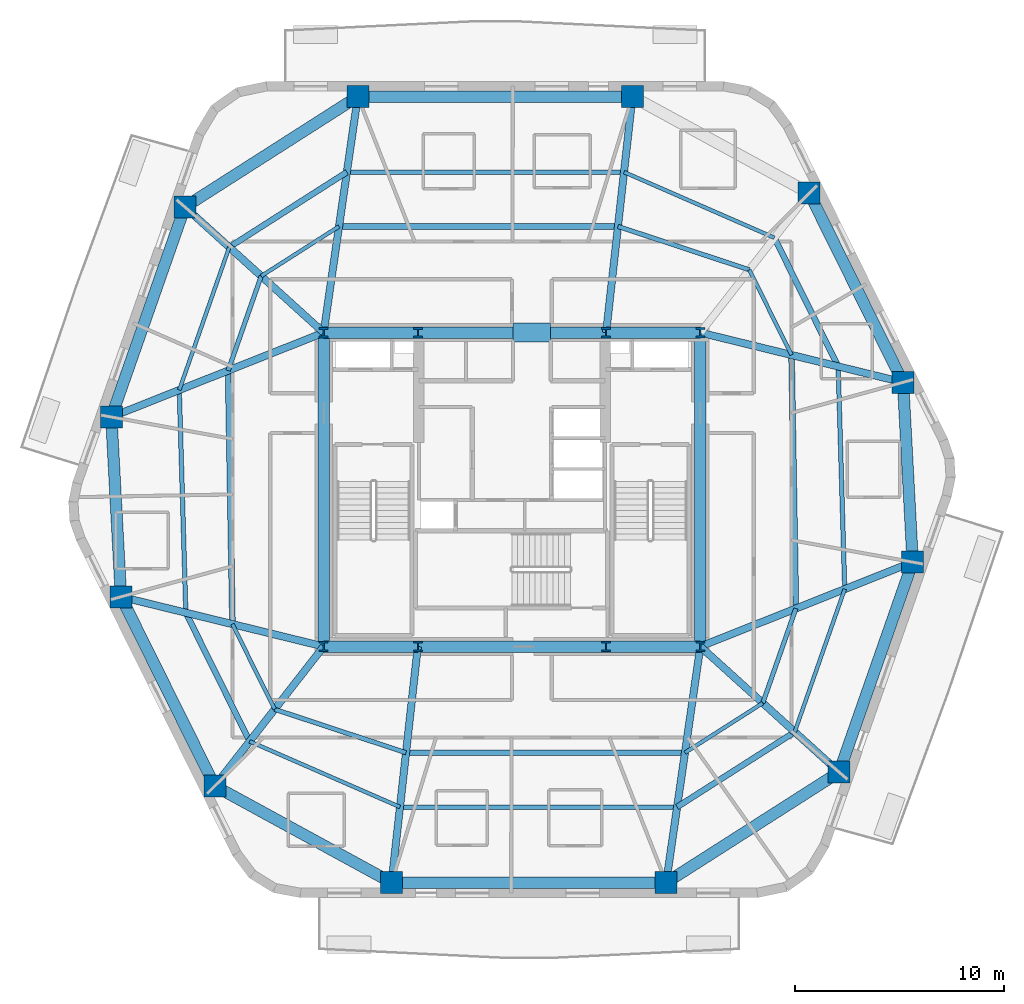
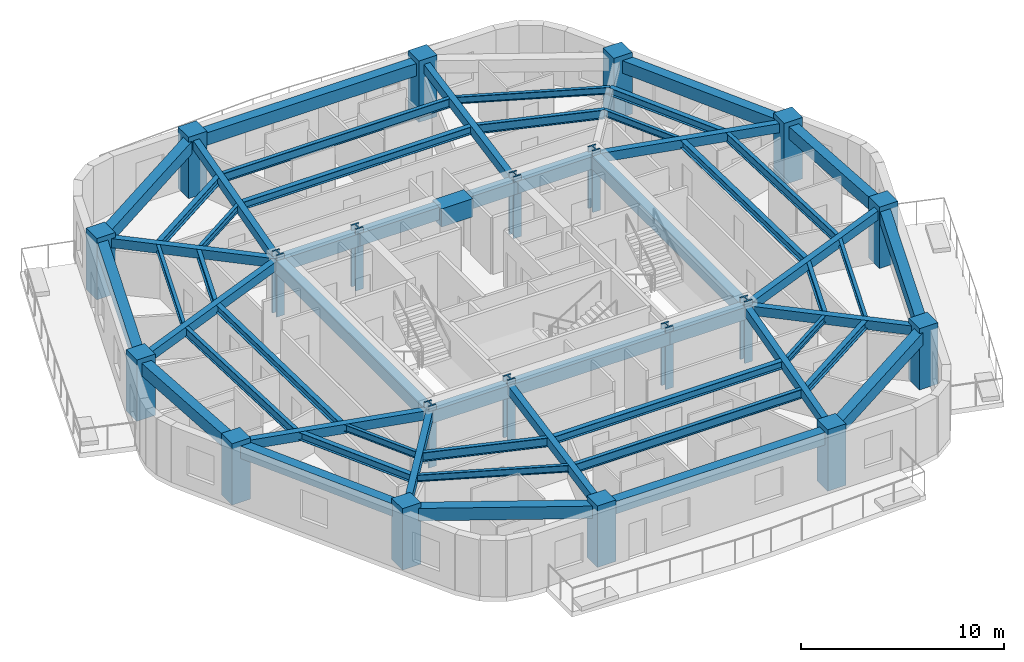
# One storey, part 1 of 11: 55 beams, 20 columns.
"""IFC4 building model written with IfcOpenShell, lengths in metres."""

from ifc_helpers import new_model, si_unit, direction, frame, origin, origin_2d, place, context, subcontext, project, spatial, rectangle, i_section, extrude, material, material_profile, profile_set, type_object, element, save


model = new_model("IFC4")

# Units and contexts
model_context = context("Model", 3, precision=1e-05, world=origin(), true_north=direction((0.0, 1.0)))
body_context = subcontext(model_context, "Body", "Model", "MODEL_VIEW")
ifc_project = project(units=[si_unit("LENGTHUNIT", "METRE"), si_unit("AREAUNIT", "SQUARE_METRE"), si_unit("VOLUMEUNIT", "CUBIC_METRE"), si_unit("PLANEANGLEUNIT", "RADIAN"), si_unit("MASSUNIT", "GRAM", prefix="KILO")], contexts=[model_context])

# Site, building, storey
site_placement = place(None, origin())
site = spatial("IfcSite", under=ifc_project, at=site_placement, CompositionType="ELEMENT")
building_placement = place(site_placement, origin())
building = spatial("IfcBuilding", under=site, at=building_placement, Name="Kilnhurst Terrace Hotel", CompositionType="ELEMENT")
storey_placement = place(building_placement, frame((0.0, 0.0, 159.10009765625)))
storey = spatial("IfcBuildingStorey", under=building, at=storey_placement, Name="L39", CompositionType="ELEMENT", Elevation=159.10009765625)

# Columns
ifc_material_1 = material(Name="Concrete C80/95", Category="concrete")
ifc_material_profile_1 = material_profile(ifc_material_1, rectangle(XDim=1.050048828125, YDim=1.050048828125, at=origin_2d()), Name="RC1050X1050")
ifc_profile_set_1 = profile_set([ifc_material_profile_1], Name="Concrete C80/95")
column_type_1 = type_object("IfcColumnType", Name="COL-RC-1050", PredefinedType="COLUMN", material=ifc_profile_set_1)
for number, where, z_axis, x_axis, name in (
    (1, (-5.7548828125, -18.780029296875, 0.0), (0.0, 0.0, 1.0), (1.0, 0.0, 0.0), "L39 Structural Column PC-F11"),
    (2, (7.368896484375, -18.780029296875, 0.0), (0.0, 0.0, 1.0), (1.0, 0.0, 0.0), "L39 Structural Column PC-F12"),
    (3, (15.633056640625, -13.5048828125, 0.0), (0.0, 0.0, 1.0), (1.0, 0.0, 0.0), "L39 Structural Column PC-F21"),
    (4, (19.14794921875, -3.467041015625, 0.0), (0.0, 0.0, 1.0), (1.0, 0.0, 0.0), "L39 Structural Column PC-F22"),
    (5, (18.68701171875, 5.1240234375, 0.0), (0.0, 0.0, 1.0), (1.0, 0.0, 0.0), "L39 Structural Column PC-F31"),
    (6, (14.2041015625, 14.166015625, 0.0), (0.0, 0.0, 1.0), (1.0, 0.0, 0.0), "L39 Structural Column PC-F32"),
    (7, (5.7548828125, 18.780029296875, 0.0), (0.0, 0.0, 1.0), (1.0, 0.0, 0.0), "L39 Structural Column PC-F41"),
    (8, (-7.368896484375, 18.780029296875, 0.0), (0.0, 0.0, 1.0), (1.0, 0.0, 0.0), "L39 Structural Column PC-F42"),
    (9, (-15.633056640625, 13.5048828125, 0.0), (0.0, 0.0, 1.0), (1.0, 0.0, 0.0), "L39 Structural Column PC-F51"),
    (10, (-19.14794921875, 3.467041015625, 0.0), (0.0, 0.0, 1.0), (1.0, 0.0, 0.0), "L39 Structural Column PC-F52"),
    (11, (-18.68701171875, -5.1240234375, 0.0), (0.0, 0.0, 1.0), (1.0, 0.0, 0.0), "L39 Structural Column PC-F61"),
    (12, (-14.2041015625, -14.166015625, 0.0), (0.0, 0.0, 1.0), (1.0, 0.0, 0.0), "L39 Structural Column PC-F62"),
):
    element("IfcColumn", number, at=place(storey_placement, frame(where, z_axis=z_axis, x_axis=x_axis)), inside=storey, type_object=column_type_1, Name=name, PredefinedType="COLUMN", context=body_context, shape_type="SweptSolid", body=[
        extrude(rectangle(XDim=1.050048828125, YDim=1.050048828125, at=origin_2d()), origin(), (0.0, 0.0, 1.0), 3.699951171875),
    ])
ifc_material_2 = material(Name="Steel ASTM A992 Grade 50", Category="steel")
ifc_material_profile_2 = material_profile(ifc_material_2, i_section(OverallWidth=0.43212890625, OverallDepth=0.497802734375, WebThickness=0.0556640625, FlangeThickness=0.0888671875, at=origin_2d()), Name="W14X500")
ifc_profile_set_2 = profile_set([ifc_material_profile_2], Name="Steel ASTM A992 Grade 50")
column_type_2 = type_object("IfcColumnType", Name="COL-STL-W14X500", PredefinedType="COLUMN", material=ifc_profile_set_2)
for number, where, z_axis, x_axis, name in (
    (13, (-9.0, -7.5, 0.0), (0.0, 0.0, 1.0), (1.0, 0.0, 0.0), "L39 Structural Column CC-SW"),
    (14, (-4.5, -7.5, 0.0), (0.0, 0.0, 1.0), (1.0, 0.0, 0.0), "L39 Structural Column CC-SC1"),
    (15, (4.5, -7.5, 0.0), (0.0, 0.0, 1.0), (1.0, 0.0, 0.0), "L39 Structural Column CC-SC2"),
    (16, (9.0, -7.5, 0.0), (0.0, 0.0, 1.0), (1.0, 0.0, 0.0), "L39 Structural Column CC-SE"),
    (17, (9.0, 7.5, 0.0), (0.0, 0.0, 1.0), (1.0, 0.0, 0.0), "L39 Structural Column CC-NE"),
    (18, (4.5, 7.5, 0.0), (0.0, 0.0, 1.0), (1.0, 0.0, 0.0), "L39 Structural Column CC-NC2"),
    (19, (-4.5, 7.5, 0.0), (0.0, 0.0, 1.0), (1.0, 0.0, 0.0), "L39 Structural Column CC-NC1"),
    (20, (-9.0, 7.5, 0.0), (0.0, 0.0, 1.0), (1.0, 0.0, 0.0), "L39 Structural Column CC-NW"),
):
    element("IfcColumn", number, at=place(storey_placement, frame(where, z_axis=z_axis, x_axis=x_axis)), inside=storey, type_object=column_type_2, Name=name, PredefinedType="COLUMN", context=body_context, shape_type="SweptSolid", body=[
        extrude(i_section(OverallWidth=0.43212890625, OverallDepth=0.497802734375, WebThickness=0.0556640625, FlangeThickness=0.0888671875, at=origin_2d()), origin(), (0.0, 0.0, 1.0), 3.699951171875),
    ])

# Beams
ifc_material_3 = material(Name="Concrete C50/60", Category="concrete")
ifc_material_profile_3 = material_profile(ifc_material_3, rectangle(XDim=0.35009765625, YDim=0.550048828125, at=origin_2d()), Name="RC350X550")
ifc_profile_set_3 = profile_set([ifc_material_profile_3], Name="Concrete C50/60")
beam_type_1 = type_object("IfcBeamType", Name="BM-RAD-350X550", PredefinedType="BEAM", material=ifc_profile_set_3)
beam_1_placement = place(storey_placement, frame((-4.5, -7.5, 3.125), z_axis=(-0.110566099441, -0.993868772854, 0.0), x_axis=(0.993868772854, -0.110566099441, 0.0)))
element("IfcBeam", 21, at=beam_1_placement, inside=storey, type_object=beam_type_1, Name="L39 Radial Floor Beam 1", PredefinedType="BEAM", context=body_context, shape_type="SweptSolid", body=[
    extrude(rectangle(XDim=0.35009765625, YDim=0.550048828125, at=origin_2d()), origin(), (0.0, 0.0, 1.0), 11.349609375),
])
beam_2_placement = place(storey_placement, frame((9.0, -7.5, 3.125), z_axis=(-0.143112538238, -0.989706421824, 0.0), x_axis=(0.989706421824, -0.143112538238, 0.0)))
element("IfcBeam", 22, at=beam_2_placement, inside=storey, type_object=beam_type_1, Name="L39 Radial Floor Beam 2", PredefinedType="BEAM", context=body_context, shape_type="SweptSolid", body=[
    extrude(rectangle(XDim=0.35009765625, YDim=0.550048828125, at=origin_2d()), origin(), (0.0, 0.0, 1.0), 11.3974609375),
])
beam_3_placement = place(storey_placement, frame((9.0, -7.5, 3.125), z_axis=(0.741338585645, -0.671131210296, 0.0), x_axis=(0.671131210296, 0.741338585645, 0.0)))
element("IfcBeam", 23, at=beam_3_placement, inside=storey, type_object=beam_type_1, Name="L39 Radial Floor Beam 3", PredefinedType="BEAM", context=body_context, shape_type="SweptSolid", body=[
    extrude(rectangle(XDim=0.35009765625, YDim=0.550048828125, at=origin_2d()), origin(), (0.0, 0.0, 1.0), 8.947509765625),
])
beam_4_placement = place(storey_placement, frame((9.0, -7.5, 3.125), z_axis=(0.929302373458, 0.369319778356, 0.0), x_axis=(-0.369319778356, 0.929302373458, 0.0)))
element("IfcBeam", 24, at=beam_4_placement, inside=storey, type_object=beam_type_1, Name="L39 Radial Floor Beam 4", PredefinedType="BEAM", context=body_context, shape_type="SweptSolid", body=[
    extrude(rectangle(XDim=0.35009765625, YDim=0.550048828125, at=origin_2d()), origin(), (0.0, 0.0, 1.0), 10.919921875),
])
beam_5_placement = place(storey_placement, frame((9.0, 7.5, 3.125), z_axis=(0.971212767405, -0.238213686486, 0.0), x_axis=(0.238213686486, 0.971212767405, 0.0)))
element("IfcBeam", 25, at=beam_5_placement, inside=storey, type_object=beam_type_1, Name="L39 Radial Floor Beam 5", PredefinedType="BEAM", context=body_context, shape_type="SweptSolid", body=[
    extrude(rectangle(XDim=0.35009765625, YDim=0.550048828125, at=origin_2d()), origin(), (0.0, 0.0, 1.0), 9.97412109375),
])
beam_6_placement = place(storey_placement, frame((4.5, 7.5, 3.125), z_axis=(0.110566099441, 0.993868772854, 0.0), x_axis=(-0.993868772854, 0.110566099441, 0.0)))
element("IfcBeam", 26, at=beam_6_placement, inside=storey, type_object=beam_type_1, Name="L39 Radial Floor Beam 7", PredefinedType="BEAM", context=body_context, shape_type="SweptSolid", body=[
    extrude(rectangle(XDim=0.35009765625, YDim=0.550048828125, at=origin_2d()), origin(), (0.0, 0.0, 1.0), 11.349609375),
])
beam_7_placement = place(storey_placement, frame((-9.0, 7.5, 3.125), z_axis=(0.143112538238, 0.989706421824, 0.0), x_axis=(-0.989706421824, 0.143112538238, 0.0)))
element("IfcBeam", 27, at=beam_7_placement, inside=storey, type_object=beam_type_1, Name="L39 Radial Floor Beam 8", PredefinedType="BEAM", context=body_context, shape_type="SweptSolid", body=[
    extrude(rectangle(XDim=0.35009765625, YDim=0.550048828125, at=origin_2d()), origin(), (0.0, 0.0, 1.0), 11.3974609375),
])
beam_8_placement = place(storey_placement, frame((-9.0, 7.5, 3.125), z_axis=(-0.741338585645, 0.671131210296, 0.0), x_axis=(-0.671131210296, -0.741338585645, 0.0)))
element("IfcBeam", 28, at=beam_8_placement, inside=storey, type_object=beam_type_1, Name="L39 Radial Floor Beam 9", PredefinedType="BEAM", context=body_context, shape_type="SweptSolid", body=[
    extrude(rectangle(XDim=0.35009765625, YDim=0.550048828125, at=origin_2d()), origin(), (0.0, 0.0, 1.0), 8.947509765625),
])
beam_9_placement = place(storey_placement, frame((-9.0, 7.5, 3.125), z_axis=(-0.929302373458, -0.369319778356, 0.0), x_axis=(0.369319778356, -0.929302373458, 0.0)))
element("IfcBeam", 29, at=beam_9_placement, inside=storey, type_object=beam_type_1, Name="L39 Radial Floor Beam 10", PredefinedType="BEAM", context=body_context, shape_type="SweptSolid", body=[
    extrude(rectangle(XDim=0.35009765625, YDim=0.550048828125, at=origin_2d()), origin(), (0.0, 0.0, 1.0), 10.919921875),
])
beam_10_placement = place(storey_placement, frame((-9.0, -7.5, 3.125), z_axis=(-0.971212767405, 0.238213686486, 0.0), x_axis=(-0.238213686486, -0.971212767405, 0.0)))
element("IfcBeam", 30, at=beam_10_placement, inside=storey, type_object=beam_type_1, Name="L39 Radial Floor Beam 11", PredefinedType="BEAM", context=body_context, shape_type="SweptSolid", body=[
    extrude(rectangle(XDim=0.35009765625, YDim=0.550048828125, at=origin_2d()), origin(), (0.0, 0.0, 1.0), 9.97412109375),
])
beam_11_placement = place(storey_placement, frame((-9.0, -7.5, 3.125), z_axis=(-0.615370616457, -0.78823791104, 0.0), x_axis=(0.78823791104, -0.615370616457, 0.0)))
element("IfcBeam", 31, at=beam_11_placement, inside=storey, type_object=beam_type_1, Name="L39 Radial Floor Beam 12", PredefinedType="BEAM", context=body_context, shape_type="SweptSolid", body=[
    extrude(rectangle(XDim=0.35009765625, YDim=0.550048828125, at=origin_2d()), origin(), (0.0, 0.0, 1.0), 8.456787109375),
])
ifc_material_profile_4 = material_profile(ifc_material_3, rectangle(XDim=0.550048828125, YDim=0.75, at=origin_2d()), Name="RC550X750")
ifc_profile_set_4 = profile_set([ifc_material_profile_4], Name="Concrete C50/60")
beam_type_2 = type_object("IfcBeamType", Name="BM-SPN-550X750", PredefinedType="SPANDREL", material=ifc_profile_set_4)
beam_12_placement = place(storey_placement, frame((-9.0, 7.5, 3.02490234375), z_axis=(1.0, 0.0, 0.0), x_axis=(0.0, 1.0, 0.0)))
element("IfcBeam", 32, at=beam_12_placement, inside=storey, type_object=beam_type_2, Name="L39 Core Tie Beam CC-NW to CC-NC1", PredefinedType="SPANDREL", context=body_context, shape_type="SweptSolid", body=[
    extrude(rectangle(XDim=0.550048828125, YDim=0.75, at=origin_2d()), origin(), (0.0, 0.0, 1.0), 4.5),
])
beam_13_placement = place(storey_placement, frame((-4.5, 7.5, 3.02490234375), z_axis=(1.0, 0.0, 0.0), x_axis=(0.0, 1.0, 0.0)))
element("IfcBeam", 33, at=beam_13_placement, inside=storey, type_object=beam_type_2, Name="L39 Core Tie Beam CC-NC1 to CC-NC2", PredefinedType="SPANDREL", context=body_context, shape_type="SweptSolid", body=[
    extrude(rectangle(XDim=0.550048828125, YDim=0.75, at=origin_2d()), origin(), (0.0, 0.0, 1.0), 9.0),
])
for number, where, z_axis, x_axis, name in (
    (34, (4.5, 7.5, 3.02490234375), (1.0, 0.0, 0.0), (0.0, 1.0, 0.0), "L39 Core Tie Beam CC-NC2 to CC-NE"),
    (35, (-9.0, -7.5, 3.02490234375), (1.0, 0.0, 0.0), (0.0, 1.0, 0.0), "L39 Core Tie Beam CC-SW to CC-SC1"),
):
    element("IfcBeam", number, at=place(storey_placement, frame(where, z_axis=z_axis, x_axis=x_axis)), inside=storey, type_object=beam_type_2, Name=name, PredefinedType="SPANDREL", context=body_context, shape_type="SweptSolid", body=[
        extrude(rectangle(XDim=0.550048828125, YDim=0.75, at=origin_2d()), origin(), (0.0, 0.0, 1.0), 4.5),
    ])
beam_14_placement = place(storey_placement, frame((-4.5, -7.5, 3.02490234375), z_axis=(1.0, 0.0, 0.0), x_axis=(0.0, 1.0, 0.0)))
element("IfcBeam", 36, at=beam_14_placement, inside=storey, type_object=beam_type_2, Name="L39 Core Tie Beam CC-SC1 to CC-SC2", PredefinedType="SPANDREL", context=body_context, shape_type="SweptSolid", body=[
    extrude(rectangle(XDim=0.550048828125, YDim=0.75, at=origin_2d()), origin(), (0.0, 0.0, 1.0), 9.0),
])
beam_15_placement = place(storey_placement, frame((4.5, -7.5, 3.02490234375), z_axis=(1.0, 0.0, 0.0), x_axis=(0.0, 1.0, 0.0)))
element("IfcBeam", 37, at=beam_15_placement, inside=storey, type_object=beam_type_2, Name="L39 Core Tie Beam CC-SC2 to CC-SE", PredefinedType="SPANDREL", context=body_context, shape_type="SweptSolid", body=[
    extrude(rectangle(XDim=0.550048828125, YDim=0.75, at=origin_2d()), origin(), (0.0, 0.0, 1.0), 4.5),
])
for number, where, z_axis, x_axis, name in (
    (38, (-9.0, -7.5, 3.02490234375), (0.0, 1.0, 0.0), (-1.0, 0.0, 0.0), "L39 Core Tie Beam CC-SW to CC-NW"),
    (39, (9.0, -7.5, 3.02490234375), (0.0, 1.0, 0.0), (-1.0, 0.0, 0.0), "L39 Core Tie Beam CC-SE to CC-NE"),
):
    element("IfcBeam", number, at=place(storey_placement, frame(where, z_axis=z_axis, x_axis=x_axis)), inside=storey, type_object=beam_type_2, Name=name, PredefinedType="SPANDREL", context=body_context, shape_type="SweptSolid", body=[
        extrude(rectangle(XDim=0.550048828125, YDim=0.75, at=origin_2d()), origin(), (0.0, 0.0, 1.0), 15.0),
    ])
beam_16_placement = place(storey_placement, frame((-5.7548828125, -18.780029296875, 3.02490234375), z_axis=(1.0, 0.0, 0.0), x_axis=(0.0, 1.0, 0.0)))
element("IfcBeam", 40, at=beam_16_placement, inside=storey, type_object=beam_type_2, Name="L39 Perimeter Spandrel Beam 1", PredefinedType="SPANDREL", context=body_context, shape_type="SweptSolid", body=[
    extrude(rectangle(XDim=0.550048828125, YDim=0.75, at=origin_2d()), origin(), (0.0, 0.0, 1.0), 13.123779296875),
])
beam_17_placement = place(storey_placement, frame((7.368896484375, -18.780029296875, 3.02490234375), z_axis=(0.842915241256, 0.538046369803, 0.0), x_axis=(-0.538046369803, 0.842915241256, 0.0)))
element("IfcBeam", 41, at=beam_17_placement, inside=storey, type_object=beam_type_2, Name="L39 Perimeter Spandrel Beam 2", PredefinedType="SPANDREL", context=body_context, shape_type="SweptSolid", body=[
    extrude(rectangle(XDim=0.550048828125, YDim=0.75, at=origin_2d()), origin(), (0.0, 0.0, 1.0), 9.80419921875),
])
beam_18_placement = place(storey_placement, frame((15.633056640625, -13.5048828125, 3.02490234375), z_axis=(0.330488460168, 0.943810032632, 0.0), x_axis=(-0.943810032632, 0.330488460168, 0.0)))
element("IfcBeam", 42, at=beam_18_placement, inside=storey, type_object=beam_type_2, Name="L39 Perimeter Spandrel Beam 3", PredefinedType="SPANDREL", context=body_context, shape_type="SweptSolid", body=[
    extrude(rectangle(XDim=0.550048828125, YDim=0.75, at=origin_2d()), origin(), (0.0, 0.0, 1.0), 10.635498046875),
])
beam_19_placement = place(storey_placement, frame((19.14794921875, -3.467041015625, 3.02490234375), z_axis=(-0.053576072051, 0.998563770875, 0.0), x_axis=(-0.998563770875, -0.053576072051, 0.0)))
element("IfcBeam", 43, at=beam_19_placement, inside=storey, type_object=beam_type_2, Name="L39 Perimeter Spandrel Beam 4", PredefinedType="SPANDREL", context=body_context, shape_type="SweptSolid", body=[
    extrude(rectangle(XDim=0.550048828125, YDim=0.75, at=origin_2d()), origin(), (0.0, 0.0, 1.0), 8.603515625),
])
beam_20_placement = place(storey_placement, frame((18.68701171875, 5.1240234375, 3.02490234375), z_axis=(-0.444192032261, 0.895931603682, 0.0), x_axis=(-0.895931603682, -0.444192032261, 0.0)))
element("IfcBeam", 44, at=beam_20_placement, inside=storey, type_object=beam_type_2, Name="L39 Perimeter Spandrel Beam 5", PredefinedType="SPANDREL", context=body_context, shape_type="SweptSolid", body=[
    extrude(rectangle(XDim=0.550048828125, YDim=0.75, at=origin_2d()), origin(), (0.0, 0.0, 1.0), 10.09228515625),
])
beam_21_placement = place(storey_placement, frame((5.7548828125, 18.780029296875, 3.02490234375), z_axis=(-1.0, 0.0, 0.0), x_axis=(0.0, -1.0, 0.0)))
element("IfcBeam", 45, at=beam_21_placement, inside=storey, type_object=beam_type_2, Name="L39 Perimeter Spandrel Beam 7", PredefinedType="SPANDREL", context=body_context, shape_type="SweptSolid", body=[
    extrude(rectangle(XDim=0.550048828125, YDim=0.75, at=origin_2d()), origin(), (0.0, 0.0, 1.0), 13.123779296875),
])
beam_22_placement = place(storey_placement, frame((-7.368896484375, 18.780029296875, 3.02490234375), z_axis=(-0.842915241256, -0.538046369803, 0.0), x_axis=(0.538046369803, -0.842915241256, 0.0)))
element("IfcBeam", 46, at=beam_22_placement, inside=storey, type_object=beam_type_2, Name="L39 Perimeter Spandrel Beam 8", PredefinedType="SPANDREL", context=body_context, shape_type="SweptSolid", body=[
    extrude(rectangle(XDim=0.550048828125, YDim=0.75, at=origin_2d()), origin(), (0.0, 0.0, 1.0), 9.80419921875),
])
beam_23_placement = place(storey_placement, frame((-15.633056640625, 13.5048828125, 3.02490234375), z_axis=(-0.330488460168, -0.943810032632, 0.0), x_axis=(0.943810032632, -0.330488460168, 0.0)))
element("IfcBeam", 47, at=beam_23_placement, inside=storey, type_object=beam_type_2, Name="L39 Perimeter Spandrel Beam 9", PredefinedType="SPANDREL", context=body_context, shape_type="SweptSolid", body=[
    extrude(rectangle(XDim=0.550048828125, YDim=0.75, at=origin_2d()), origin(), (0.0, 0.0, 1.0), 10.635498046875),
])
beam_24_placement = place(storey_placement, frame((-19.14794921875, 3.467041015625, 3.02490234375), z_axis=(0.053576072051, -0.998563770875, 0.0), x_axis=(0.998563770875, 0.053576072051, 0.0)))
element("IfcBeam", 48, at=beam_24_placement, inside=storey, type_object=beam_type_2, Name="L39 Perimeter Spandrel Beam 10", PredefinedType="SPANDREL", context=body_context, shape_type="SweptSolid", body=[
    extrude(rectangle(XDim=0.550048828125, YDim=0.75, at=origin_2d()), origin(), (0.0, 0.0, 1.0), 8.603515625),
])
beam_25_placement = place(storey_placement, frame((-18.68701171875, -5.1240234375, 3.02490234375), z_axis=(0.444192032261, -0.895931603682, 0.0), x_axis=(0.895931603682, 0.444192032261, 0.0)))
element("IfcBeam", 49, at=beam_25_placement, inside=storey, type_object=beam_type_2, Name="L39 Perimeter Spandrel Beam 11", PredefinedType="SPANDREL", context=body_context, shape_type="SweptSolid", body=[
    extrude(rectangle(XDim=0.550048828125, YDim=0.75, at=origin_2d()), origin(), (0.0, 0.0, 1.0), 10.09228515625),
])
beam_26_placement = place(storey_placement, frame((-14.2041015625, -14.166015625, 3.02490234375), z_axis=(0.87766189723, -0.479280287672, 0.0), x_axis=(0.479280287672, 0.87766189723, 0.0)))
element("IfcBeam", 50, at=beam_26_placement, inside=storey, type_object=beam_type_2, Name="L39 Perimeter Spandrel Beam 12", PredefinedType="SPANDREL", context=body_context, shape_type="SweptSolid", body=[
    extrude(rectangle(XDim=0.550048828125, YDim=0.75, at=origin_2d()), origin(), (0.0, 0.0, 1.0), 9.626953125),
])
ifc_material_profile_5 = material_profile(ifc_material_2, i_section(OverallWidth=0.180908203125, OverallDepth=0.417236328125, WebThickness=0.010986328125, FlangeThickness=0.018310546875, at=origin_2d()), Name="W16X57")
ifc_profile_set_5 = profile_set([ifc_material_profile_5], Name="Steel ASTM A992 Grade 50")
beam_type_3 = type_object("IfcBeamType", Name="JST-STL-W16X57", PredefinedType="JOIST", material=ifc_profile_set_5)
beam_27_placement = place(storey_placement, frame((13.510498046875, -11.58349609375, 3.19091796875), z_axis=(0.330481239411, 0.943812561051, 0.0), x_axis=(-0.943812561051, 0.330481239411, 0.0)))
element("IfcBeam", 51, at=beam_27_placement, inside=storey, type_object=beam_type_3, Name="L39 Secondary Floor Steel Joist OUT.3", PredefinedType="JOIST", context=body_context, shape_type="SweptSolid", body=[
    extrude(i_section(OverallWidth=0.180908203125, OverallDepth=0.417236328125, WebThickness=0.010986328125, FlangeThickness=0.018310546875, at=origin_2d()), origin(), (0.0, 0.0, 1.0), 7.232177734375),
])
beam_28_placement = place(storey_placement, frame((12.538818359375, 12.032958984375, 3.19091796875), z_axis=(-0.916443679054, 0.400163695407, 0.0), x_axis=(-0.400163695407, -0.916443679054, 0.0)))
element("IfcBeam", 52, at=beam_28_placement, inside=storey, type_object=beam_type_3, Name="L39 Secondary Floor Steel Joist OUT.6", PredefinedType="JOIST", context=body_context, shape_type="SweptSolid", body=[
    extrude(i_section(OverallWidth=0.180908203125, OverallDepth=0.417236328125, WebThickness=0.010986328125, FlangeThickness=0.018310546875, at=origin_2d()), origin(), (0.0, 0.0, 1.0), 7.84033203125),
])
beam_29_placement = place(storey_placement, frame((-13.510498046875, 11.58349609375, 3.19091796875), z_axis=(-0.330481239411, -0.943812561051, 0.0), x_axis=(0.943812561051, -0.330481239411, 0.0)))
element("IfcBeam", 53, at=beam_29_placement, inside=storey, type_object=beam_type_3, Name="L39 Secondary Floor Steel Joist OUT.9", PredefinedType="JOIST", context=body_context, shape_type="SweptSolid", body=[
    extrude(i_section(OverallWidth=0.180908203125, OverallDepth=0.417236328125, WebThickness=0.010986328125, FlangeThickness=0.018310546875, at=origin_2d()), origin(), (0.0, 0.0, 1.0), 7.232177734375),
])
beam_30_placement = place(storey_placement, frame((-12.538818359375, -12.032958984375, 3.19091796875), z_axis=(0.916443679054, -0.400163695407, 0.0), x_axis=(0.400163695407, 0.916443679054, 0.0)))
element("IfcBeam", 54, at=beam_30_placement, inside=storey, type_object=beam_type_3, Name="L39 Secondary Floor Steel Joist OUT.12", PredefinedType="JOIST", context=body_context, shape_type="SweptSolid", body=[
    extrude(i_section(OverallWidth=0.180908203125, OverallDepth=0.417236328125, WebThickness=0.010986328125, FlangeThickness=0.018310546875, at=origin_2d()), origin(), (0.0, 0.0, 1.0), 7.84033203125),
])
beam_31_placement = place(storey_placement, frame((8.26611328125, -12.575927734375, 3.19091796875), z_axis=(0.842910995806, 0.53805302076, 0.0), x_axis=(-0.53805302076, 0.842910995806, 0.0)))
element("IfcBeam", 55, at=beam_31_placement, inside=storey, type_object=beam_type_3, Name="L39 Secondary Floor Steel Joist IN.2", PredefinedType="JOIST", context=body_context, shape_type="SweptSolid", body=[
    extrude(i_section(OverallWidth=0.180908203125, OverallDepth=0.417236328125, WebThickness=0.010986328125, FlangeThickness=0.018310546875, at=origin_2d()), origin(), (0.0, 0.0, 1.0), 4.411865234375),
])
beam_32_placement = place(storey_placement, frame((13.359130859375, 6.430908203125, 3.19091796875), z_axis=(-0.444200626094, 0.895927342912, 0.0), x_axis=(-0.895927342912, -0.444200626094, 0.0)))
element("IfcBeam", 56, at=beam_32_placement, inside=storey, type_object=beam_type_3, Name="L39 Secondary Floor Steel Joist IN.5", PredefinedType="JOIST", context=body_context, shape_type="SweptSolid", body=[
    extrude(i_section(OverallWidth=0.180908203125, OverallDepth=0.417236328125, WebThickness=0.010986328125, FlangeThickness=0.018310546875, at=origin_2d()), origin(), (0.0, 0.0, 1.0), 4.54150390625),
])
beam_33_placement = place(storey_placement, frame((-8.26611328125, 12.575927734375, 3.19091796875), z_axis=(-0.842910995806, -0.53805302076, 0.0), x_axis=(0.53805302076, -0.842910995806, 0.0)))
element("IfcBeam", 57, at=beam_33_placement, inside=storey, type_object=beam_type_3, Name="L39 Secondary Floor Steel Joist IN.8", PredefinedType="JOIST", context=body_context, shape_type="SweptSolid", body=[
    extrude(i_section(OverallWidth=0.180908203125, OverallDepth=0.417236328125, WebThickness=0.010986328125, FlangeThickness=0.018310546875, at=origin_2d()), origin(), (0.0, 0.0, 1.0), 4.411865234375),
])
beam_34_placement = place(storey_placement, frame((-13.359130859375, -6.430908203125, 3.19091796875), z_axis=(0.444200626094, -0.895927342912, 0.0), x_axis=(0.895927342912, 0.444200626094, 0.0)))
element("IfcBeam", 58, at=beam_34_placement, inside=storey, type_object=beam_type_3, Name="L39 Secondary Floor Steel Joist IN.11", PredefinedType="JOIST", context=body_context, shape_type="SweptSolid", body=[
    extrude(i_section(OverallWidth=0.180908203125, OverallDepth=0.417236328125, WebThickness=0.010986328125, FlangeThickness=0.018310546875, at=origin_2d()), origin(), (0.0, 0.0, 1.0), 4.54150390625),
])
ifc_material_profile_6 = material_profile(ifc_material_2, i_section(OverallWidth=0.279296875, OverallDepth=0.462890625, WebThickness=0.0107421875, FlangeThickness=0.017333984375, at=origin_2d()), Name="W18X76")
ifc_profile_set_6 = profile_set([ifc_material_profile_6], Name="Steel ASTM A992 Grade 50")
beam_type_4 = type_object("IfcBeamType", Name="JST-STL-W18X76", PredefinedType="JOIST", material=ifc_profile_set_6)
beam_35_placement = place(storey_placement, frame((7.890869140625, -15.17041015625, 3.16796875), z_axis=(0.842927863369, 0.538026595213, 0.0), x_axis=(-0.538026595213, 0.842927863369, 0.0)))
element("IfcBeam", 59, at=beam_35_placement, inside=storey, type_object=beam_type_4, Name="L39 Secondary Floor Steel Joist OUT.2", PredefinedType="JOIST", context=body_context, shape_type="SweptSolid", body=[
    extrude(i_section(OverallWidth=0.279296875, OverallDepth=0.462890625, WebThickness=0.0107421875, FlangeThickness=0.017333984375, at=origin_2d()), origin(), (0.0, 0.0, 1.0), 6.666748046875),
])
beam_36_placement = place(storey_placement, frame((15.587158203125, 5.88427734375, 3.16796875), z_axis=(-0.444180101574, 0.895937518673, 0.0), x_axis=(-0.895937518673, -0.444180101574, 0.0)))
element("IfcBeam", 60, at=beam_36_placement, inside=storey, type_object=beam_type_4, Name="L39 Secondary Floor Steel Joist OUT.5", PredefinedType="JOIST", context=body_context, shape_type="SweptSolid", body=[
    extrude(i_section(OverallWidth=0.279296875, OverallDepth=0.462890625, WebThickness=0.0107421875, FlangeThickness=0.017333984375, at=origin_2d()), origin(), (0.0, 0.0, 1.0), 6.86279296875),
])
beam_37_placement = place(storey_placement, frame((-7.890869140625, 15.17041015625, 3.16796875), z_axis=(-0.842927863369, -0.538026595213, 0.0), x_axis=(0.538026595213, -0.842927863369, 0.0)))
element("IfcBeam", 61, at=beam_37_placement, inside=storey, type_object=beam_type_4, Name="L39 Secondary Floor Steel Joist OUT.8", PredefinedType="JOIST", context=body_context, shape_type="SweptSolid", body=[
    extrude(i_section(OverallWidth=0.279296875, OverallDepth=0.462890625, WebThickness=0.0107421875, FlangeThickness=0.017333984375, at=origin_2d()), origin(), (0.0, 0.0, 1.0), 6.666748046875),
])
beam_38_placement = place(storey_placement, frame((-15.587158203125, -5.88427734375, 3.16796875), z_axis=(0.444180101574, -0.895937518673, 0.0), x_axis=(0.895937518673, 0.444180101574, 0.0)))
element("IfcBeam", 62, at=beam_38_placement, inside=storey, type_object=beam_type_4, Name="L39 Secondary Floor Steel Joist OUT.11", PredefinedType="JOIST", context=body_context, shape_type="SweptSolid", body=[
    extrude(i_section(OverallWidth=0.279296875, OverallDepth=0.462890625, WebThickness=0.0107421875, FlangeThickness=0.017333984375, at=origin_2d()), origin(), (0.0, 0.0, 1.0), 6.86279296875),
])
beam_39_placement = place(storey_placement, frame((-5.064697265625, -12.575927734375, 3.16796875), z_axis=(1.0, 0.0, 0.0), x_axis=(0.0, 1.0, 0.0)))
element("IfcBeam", 63, at=beam_39_placement, inside=storey, type_object=beam_type_4, Name="L39 Secondary Floor Steel Joist IN.1", PredefinedType="JOIST", context=body_context, shape_type="SweptSolid", body=[
    extrude(i_section(OverallWidth=0.279296875, OverallDepth=0.462890625, WebThickness=0.0107421875, FlangeThickness=0.017333984375, at=origin_2d()), origin(), (0.0, 0.0, 1.0), 13.330810546875),
])
beam_40_placement = place(storey_placement, frame((13.566650390625, -5.685302734375, 3.16796875), z_axis=(-0.017124916462, 0.999853357866, 0.0), x_axis=(-0.999853357866, -0.017124916462, 0.0)))
element("IfcBeam", 64, at=beam_40_placement, inside=storey, type_object=beam_type_4, Name="L39 Secondary Floor Steel Joist IN.4", PredefinedType="JOIST", context=body_context, shape_type="SweptSolid", body=[
    extrude(i_section(OverallWidth=0.279296875, OverallDepth=0.462890625, WebThickness=0.0107421875, FlangeThickness=0.017333984375, at=origin_2d()), origin(), (0.0, 0.0, 1.0), 12.117919921875),
])
beam_41_placement = place(storey_placement, frame((5.064697265625, 12.575927734375, 3.16796875), z_axis=(-1.0, 0.0, 0.0), x_axis=(0.0, -1.0, 0.0)))
element("IfcBeam", 65, at=beam_41_placement, inside=storey, type_object=beam_type_4, Name="L39 Secondary Floor Steel Joist IN.7", PredefinedType="JOIST", context=body_context, shape_type="SweptSolid", body=[
    extrude(i_section(OverallWidth=0.279296875, OverallDepth=0.462890625, WebThickness=0.0107421875, FlangeThickness=0.017333984375, at=origin_2d()), origin(), (0.0, 0.0, 1.0), 13.330810546875),
])
beam_42_placement = place(storey_placement, frame((-13.566650390625, 5.685302734375, 3.16796875), z_axis=(0.017124916462, -0.999853357866, 0.0), x_axis=(0.999853357866, 0.017124916462, 0.0)))
element("IfcBeam", 66, at=beam_42_placement, inside=storey, type_object=beam_type_4, Name="L39 Secondary Floor Steel Joist IN.10", PredefinedType="JOIST", context=body_context, shape_type="SweptSolid", body=[
    extrude(i_section(OverallWidth=0.279296875, OverallDepth=0.462890625, WebThickness=0.0107421875, FlangeThickness=0.017333984375, at=origin_2d()), origin(), (0.0, 0.0, 1.0), 12.117919921875),
])
ifc_material_profile_7 = material_profile(ifc_material_2, i_section(OverallWidth=0.2138671875, OverallDepth=0.549072265625, WebThickness=0.0146484375, FlangeThickness=0.023681640625, at=origin_2d()), Name="W21X93")
ifc_profile_set_7 = profile_set([ifc_material_profile_7], Name="Steel ASTM A992 Grade 50")
beam_type_5 = type_object("IfcBeamType", Name="JST-STL-W21X93", PredefinedType="JOIST", material=ifc_profile_set_7)
beam_43_placement = place(storey_placement, frame((-5.353515625, -15.17041015625, 3.125), z_axis=(1.0, 0.0, 0.0), x_axis=(0.0, 1.0, 0.0)))
element("IfcBeam", 67, at=beam_43_placement, inside=storey, type_object=beam_type_5, Name="L39 Secondary Floor Steel Joist OUT.1", PredefinedType="JOIST", context=body_context, shape_type="SweptSolid", body=[
    extrude(i_section(OverallWidth=0.2138671875, OverallDepth=0.549072265625, WebThickness=0.0146484375, FlangeThickness=0.023681640625, at=origin_2d()), origin(), (0.0, 0.0, 1.0), 13.244384765625),
])
beam_44_placement = place(storey_placement, frame((15.900634765625, -4.757568359375, 3.125), z_axis=(-0.029444201298, 0.999566425512, 0.0), x_axis=(-0.999566425512, -0.029444201298, 0.0)))
element("IfcBeam", 68, at=beam_44_placement, inside=storey, type_object=beam_type_5, Name="L39 Secondary Floor Steel Joist OUT.4", PredefinedType="JOIST", context=body_context, shape_type="SweptSolid", body=[
    extrude(i_section(OverallWidth=0.2138671875, OverallDepth=0.549072265625, WebThickness=0.0146484375, FlangeThickness=0.023681640625, at=origin_2d()), origin(), (0.0, 0.0, 1.0), 10.646484375),
])
beam_45_placement = place(storey_placement, frame((5.353515625, 15.17041015625, 3.125), z_axis=(-1.0, 0.0, 0.0), x_axis=(0.0, -1.0, 0.0)))
element("IfcBeam", 69, at=beam_45_placement, inside=storey, type_object=beam_type_5, Name="L39 Secondary Floor Steel Joist OUT.7", PredefinedType="JOIST", context=body_context, shape_type="SweptSolid", body=[
    extrude(i_section(OverallWidth=0.2138671875, OverallDepth=0.549072265625, WebThickness=0.0146484375, FlangeThickness=0.023681640625, at=origin_2d()), origin(), (0.0, 0.0, 1.0), 13.244384765625),
])
beam_46_placement = place(storey_placement, frame((-15.900634765625, 4.757568359375, 3.125), z_axis=(0.029444201298, -0.999566425512, 0.0), x_axis=(0.999566425512, 0.029444201298, 0.0)))
element("IfcBeam", 70, at=beam_46_placement, inside=storey, type_object=beam_type_5, Name="L39 Secondary Floor Steel Joist OUT.10", PredefinedType="JOIST", context=body_context, shape_type="SweptSolid", body=[
    extrude(i_section(OverallWidth=0.2138671875, OverallDepth=0.549072265625, WebThickness=0.0146484375, FlangeThickness=0.023681640625, at=origin_2d()), origin(), (0.0, 0.0, 1.0), 10.646484375),
])
beam_47_placement = place(storey_placement, frame((11.98486328125, -10.2021484375, 3.125), z_axis=(0.330516298629, 0.943800284139, 0.0), x_axis=(-0.943800284139, 0.330516298629, 0.0)))
element("IfcBeam", 71, at=beam_47_placement, inside=storey, type_object=beam_type_5, Name="L39 Secondary Floor Steel Joist IN.3", PredefinedType="JOIST", context=body_context, shape_type="SweptSolid", body=[
    extrude(i_section(OverallWidth=0.2138671875, OverallDepth=0.549072265625, WebThickness=0.0146484375, FlangeThickness=0.023681640625, at=origin_2d()), origin(), (0.0, 0.0, 1.0), 4.785888671875),
])
beam_48_placement = place(storey_placement, frame((11.341796875, 10.499755859375, 3.125), z_axis=(-0.949415572736, 0.314022404051, 0.0), x_axis=(-0.314022404051, -0.949415572736, 0.0)))
element("IfcBeam", 72, at=beam_48_placement, inside=storey, type_object=beam_type_5, Name="L39 Secondary Floor Steel Joist IN.6", PredefinedType="JOIST", context=body_context, shape_type="SweptSolid", body=[
    extrude(i_section(OverallWidth=0.2138671875, OverallDepth=0.549072265625, WebThickness=0.0146484375, FlangeThickness=0.023681640625, at=origin_2d()), origin(), (0.0, 0.0, 1.0), 6.611572265625),
])
beam_49_placement = place(storey_placement, frame((-11.98486328125, 10.2021484375, 3.125), z_axis=(-0.330516298629, -0.943800284139, 0.0), x_axis=(0.943800284139, -0.330516298629, 0.0)))
element("IfcBeam", 73, at=beam_49_placement, inside=storey, type_object=beam_type_5, Name="L39 Secondary Floor Steel Joist IN.9", PredefinedType="JOIST", context=body_context, shape_type="SweptSolid", body=[
    extrude(i_section(OverallWidth=0.2138671875, OverallDepth=0.549072265625, WebThickness=0.0146484375, FlangeThickness=0.023681640625, at=origin_2d()), origin(), (0.0, 0.0, 1.0), 4.785888671875),
])
beam_50_placement = place(storey_placement, frame((-11.341796875, -10.499755859375, 3.125), z_axis=(0.949415572736, -0.314022404051, 0.0), x_axis=(0.314022404051, 0.949415572736, 0.0)))
element("IfcBeam", 74, at=beam_50_placement, inside=storey, type_object=beam_type_5, Name="L39 Secondary Floor Steel Joist IN.12", PredefinedType="JOIST", context=body_context, shape_type="SweptSolid", body=[
    extrude(i_section(OverallWidth=0.2138671875, OverallDepth=0.549072265625, WebThickness=0.0146484375, FlangeThickness=0.023681640625, at=origin_2d()), origin(), (0.0, 0.0, 1.0), 6.611572265625),
])
ifc_material_profile_8 = material_profile(ifc_material_1, rectangle(XDim=0.89990234375, YDim=1.10009765625, at=origin_2d()), Name="RC900X1100")
ifc_profile_set_8 = profile_set([ifc_material_profile_8], Name="Concrete C80/95")
beam_type_6 = type_object("IfcBeamType", Name="LNT-CB-900X1100", PredefinedType="LINTEL", material=ifc_profile_set_8)
beam_51_placement = place(storey_placement, frame((0.050048828125, 7.5, 2.849853515625), z_axis=(1.0, 0.0, 0.0), x_axis=(0.0, 1.0, 0.0)))
element("IfcBeam", 75, at=beam_51_placement, inside=storey, type_object=beam_type_6, Name="L39 North Core Coupling Link Beam", PredefinedType="LINTEL", context=body_context, shape_type="SweptSolid", body=[
    extrude(rectangle(XDim=0.89990234375, YDim=1.10009765625, at=origin_2d()), origin(), (0.0, 0.0, 1.0), 1.800048828125),
])

save(model, "model.ifc")
